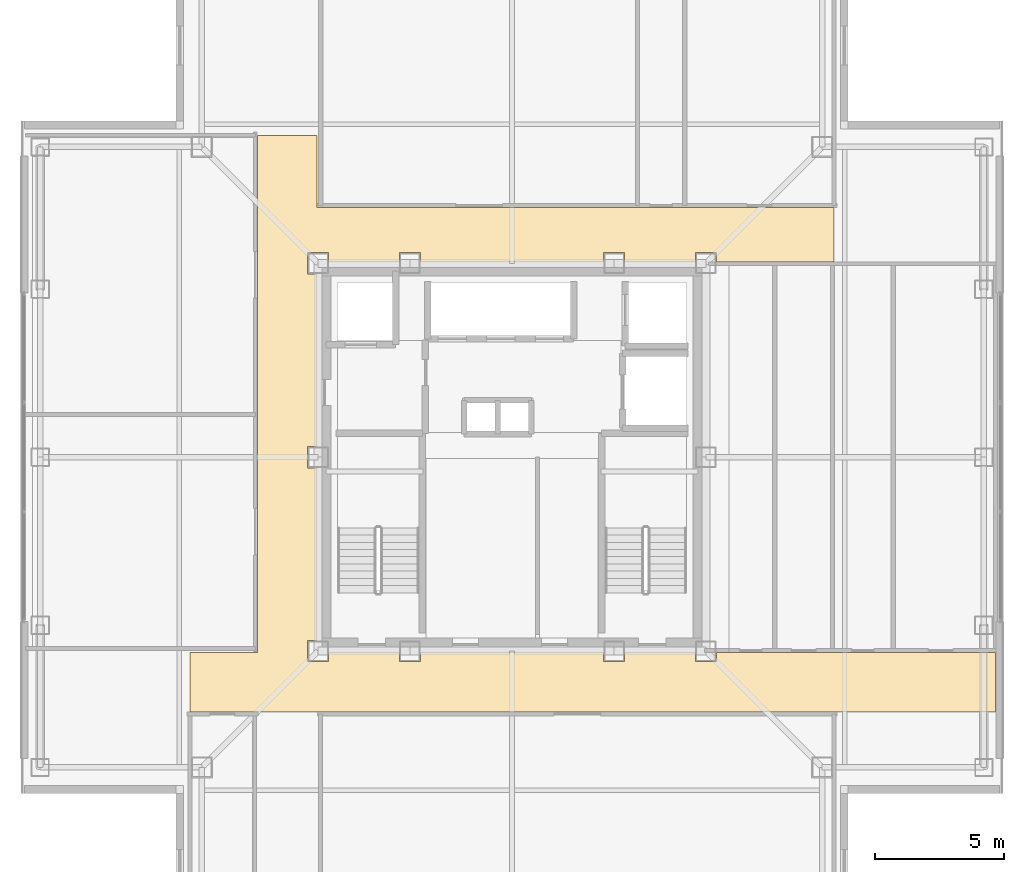
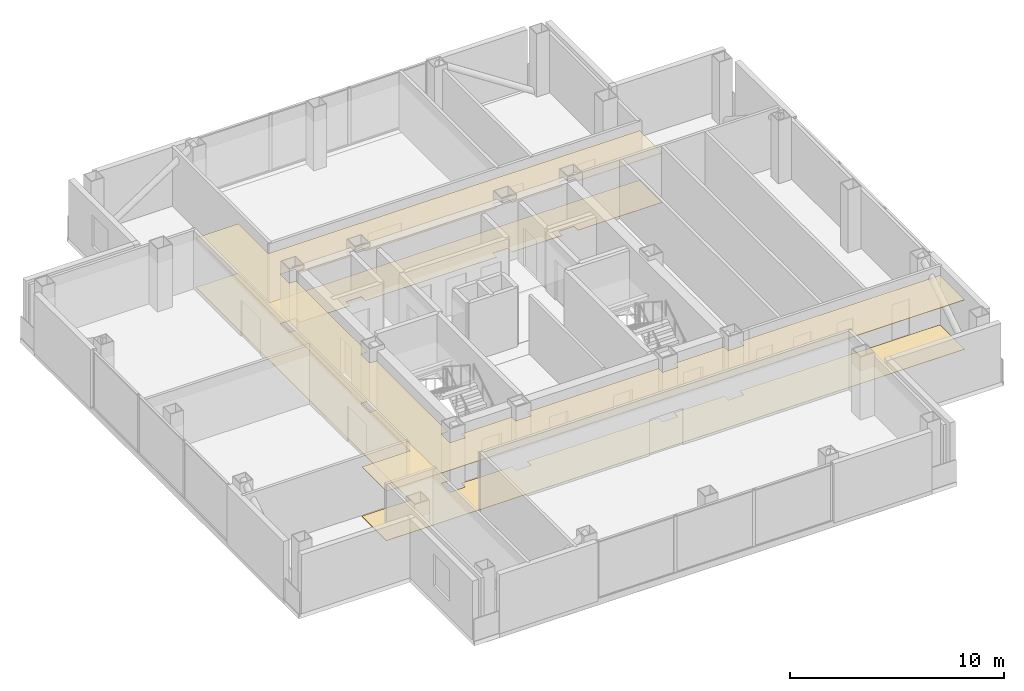
# One storey, part 14 of 16: 2 coverings.
"""IFC4 building model written with IfcOpenShell, lengths in metres."""

from ifc_helpers import new_model, si_unit, direction, frame, origin, place, context, subcontext, project, spatial, polyline, outline, extrude, material, layer, layer_set, type_object, element, save


model = new_model("IFC4")

# Units and contexts
model_context = context("Model", 3, precision=1e-05, world=origin(), true_north=direction((0.0, 1.0)))
body_context = subcontext(model_context, "Body", "Model", "MODEL_VIEW")
ifc_project = project(units=[si_unit("LENGTHUNIT", "METRE"), si_unit("AREAUNIT", "SQUARE_METRE"), si_unit("VOLUMEUNIT", "CUBIC_METRE"), si_unit("PLANEANGLEUNIT", "RADIAN"), si_unit("MASSUNIT", "GRAM", prefix="KILO")], contexts=[model_context])

# Site, building, storey
site_placement = place(None, origin())
site = spatial("IfcSite", under=ifc_project, at=site_placement, CompositionType="ELEMENT")
building_placement = place(site_placement, origin())
building = spatial("IfcBuilding", under=site, at=building_placement, Name="Trevonay Congress Spire", CompositionType="ELEMENT")
storey_placement = place(building_placement, frame((0.0, 0.0, 257.60009765625)))
storey = spatial("IfcBuildingStorey", under=building, at=storey_placement, Name="L67", CompositionType="ELEMENT", Elevation=257.60009765625)

# Coverings
ifc_material_1 = material(Name="Acoustic Mineral Fibre Board", Category="gypsum")
ifc_layer_1 = layer(ifc_material_1, 0.02490234375, Name="Acoustic Mineral Fibre Board")
ifc_layer_set_1 = layer_set([ifc_layer_1], Name="Acoustic Mineral Fibre Board")
covering_type_1 = type_object("IfcCoveringType", Name="COV-CEIL-ACOUSTIC", PredefinedType="CEILING", material=ifc_layer_set_1)
covering_1_placement = place(storey_placement, frame((0.0, 0.0, 2.809814453125)))
element("IfcCovering", 1, at=covering_1_placement, inside=storey, type_object=covering_type_1, Name="L67 Cruciform Boulevard Corridor acoustic suspended ceiling", PredefinedType="CEILING", context=body_context, shape_type="SweptSolid", body=[
    extrude(outline(polyline([(18.699951171875, -7.550048828125), (18.699951171875, -9.85009765625), (-12.449951171875, -9.85009765625), (-12.449951171875, -7.550048828125), (-9.85009765625, -7.550048828125), (-9.85009765625, 12.449951171875), (-7.550048828125, 12.449951171875), (-7.550048828125, 9.64990234375), (12.449951171875, 9.64990234375), (12.449951171875, 7.550048828125), (7.909912109375, 7.550048828125), (7.909912109375, 7.909912109375), (7.090087890625, 7.909912109375), (7.090087890625, 7.550048828125), (4.360107421875, 7.550048828125), (4.360107421875, 7.909912109375), (3.5400390625, 7.909912109375), (3.5400390625, 7.550048828125), (-3.5400390625, 7.550048828125), (-3.5400390625, 7.909912109375), (-4.360107421875, 7.909912109375), (-4.360107421875, 7.550048828125), (-7.090087890625, 7.550048828125), (-7.090087890625, 7.909912109375), (-7.909912109375, 7.909912109375), (-7.909912109375, 7.090087890625), (-7.550048828125, 7.090087890625), (-7.550048828125, 0.409912109375), (-7.909912109375, 0.409912109375), (-7.909912109375, -0.409912109375), (-7.550048828125, -0.409912109375), (-7.550048828125, -7.090087890625), (-7.909912109375, -7.090087890625), (-7.909912109375, -7.909912109375), (-7.090087890625, -7.909912109375), (-7.090087890625, -7.550048828125), (-4.360107421875, -7.550048828125), (-4.360107421875, -7.909912109375), (-3.5400390625, -7.909912109375), (-3.5400390625, -7.550048828125), (3.5400390625, -7.550048828125), (3.5400390625, -7.909912109375), (4.360107421875, -7.909912109375), (4.360107421875, -7.550048828125), (7.090087890625, -7.550048828125), (7.090087890625, -7.909912109375), (7.909912109375, -7.909912109375), (7.909912109375, -7.550048828125), (18.699951171875, -7.550048828125)])), origin(), (0.0, 0.0, 1.0), 0.025146484375),
])
ifc_material_2 = material(Name="Polished Granite Floor Tile", Category="masonry")
ifc_layer_2 = layer(ifc_material_2, 0.02001953125, Name="Polished Granite Floor Tile")
ifc_layer_set_2 = layer_set([ifc_layer_2], Name="Polished Granite Floor Tile")
covering_type_2 = type_object("IfcCoveringType", Name="COV-FLOOR-STONE", PredefinedType="FLOORING", material=ifc_layer_set_2)
covering_2_placement = place(storey_placement, origin())
element("IfcCovering", 2, at=covering_2_placement, inside=storey, type_object=covering_type_2, Name="L67 Cruciform Boulevard Corridor floor finish", PredefinedType="FLOORING", context=body_context, shape_type="SweptSolid", body=[
    extrude(outline(polyline([(18.699951171875, -7.550048828125), (18.699951171875, -9.85009765625), (-12.449951171875, -9.85009765625), (-12.449951171875, -7.550048828125), (-9.85009765625, -7.550048828125), (-9.85009765625, 12.449951171875), (-7.550048828125, 12.449951171875), (-7.550048828125, 9.64990234375), (12.449951171875, 9.64990234375), (12.449951171875, 7.550048828125), (7.909912109375, 7.550048828125), (7.909912109375, 7.909912109375), (7.090087890625, 7.909912109375), (7.090087890625, 7.550048828125), (4.360107421875, 7.550048828125), (4.360107421875, 7.909912109375), (3.5400390625, 7.909912109375), (3.5400390625, 7.550048828125), (-3.5400390625, 7.550048828125), (-3.5400390625, 7.909912109375), (-4.360107421875, 7.909912109375), (-4.360107421875, 7.550048828125), (-7.090087890625, 7.550048828125), (-7.090087890625, 7.909912109375), (-7.909912109375, 7.909912109375), (-7.909912109375, 7.090087890625), (-7.550048828125, 7.090087890625), (-7.550048828125, 0.409912109375), (-7.909912109375, 0.409912109375), (-7.909912109375, -0.409912109375), (-7.550048828125, -0.409912109375), (-7.550048828125, -7.090087890625), (-7.909912109375, -7.090087890625), (-7.909912109375, -7.909912109375), (-7.090087890625, -7.909912109375), (-7.090087890625, -7.550048828125), (-4.360107421875, -7.550048828125), (-4.360107421875, -7.909912109375), (-3.5400390625, -7.909912109375), (-3.5400390625, -7.550048828125), (3.5400390625, -7.550048828125), (3.5400390625, -7.909912109375), (4.360107421875, -7.909912109375), (4.360107421875, -7.550048828125), (7.090087890625, -7.550048828125), (7.090087890625, -7.909912109375), (7.909912109375, -7.909912109375), (7.909912109375, -7.550048828125), (18.699951171875, -7.550048828125)])), origin(), (0.0, 0.0, 1.0), 0.02001953125),
])

save(model, "model.ifc")
